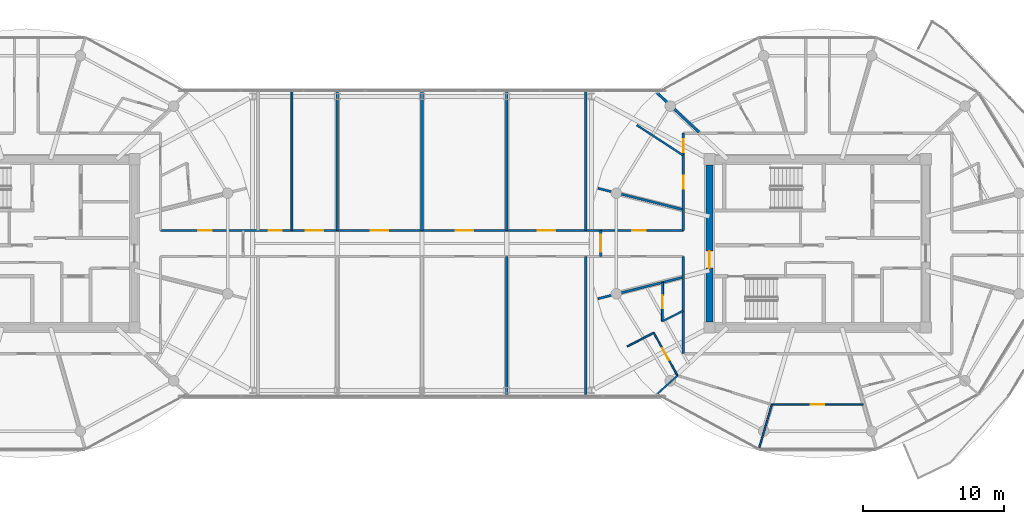
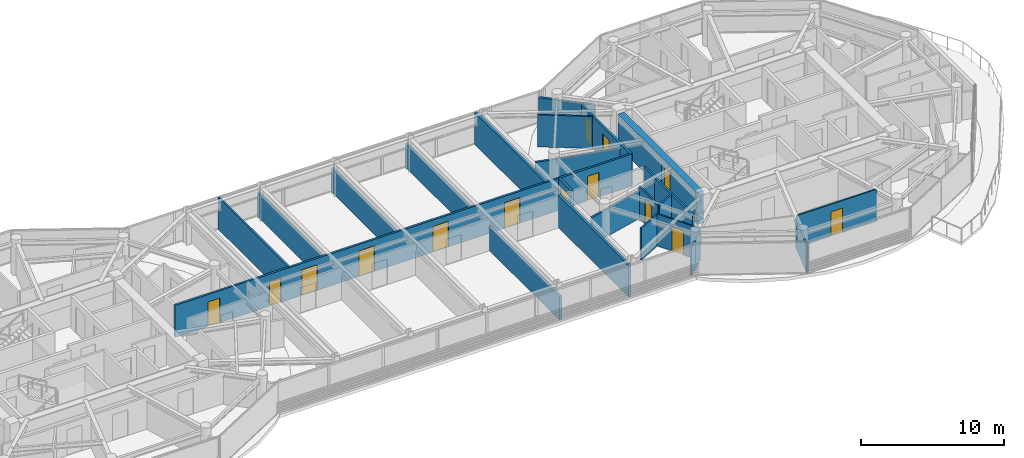
# One storey, part 17 of 24: 23 walls, 14 doors, 14 openings.
"""IFC4 building model written with IfcOpenShell, lengths in metres."""

from ifc_helpers import new_model, si_unit, direction, frame, frame_2d, origin, place, context, subcontext, project, spatial, rectangle, extrude, source, transform, mapped, material, layer, layer_set, type_object, type_shapes, element, fill, save


model = new_model("IFC4")

# Units and contexts
model_context = context("Model", 3, precision=1e-05, world=origin(), true_north=direction((0.0, 1.0)))
body_context = subcontext(model_context, "Body", "Model", "MODEL_VIEW")
ifc_project = project(units=[si_unit("LENGTHUNIT", "METRE"), si_unit("AREAUNIT", "SQUARE_METRE"), si_unit("VOLUMEUNIT", "CUBIC_METRE"), si_unit("PLANEANGLEUNIT", "RADIAN"), si_unit("MASSUNIT", "GRAM", prefix="KILO")], contexts=[model_context])

# Site, building, storey
site_placement = place(None, origin())
site = spatial("IfcSite", under=ifc_project, at=site_placement, CompositionType="ELEMENT")
building_placement = place(site_placement, origin())
building = spatial("IfcBuilding", under=site, at=building_placement, Name="Norrkilde Senior Care Towers", CompositionType="ELEMENT")
storey_placement = place(building_placement, frame((0.0, 0.0, 213.89990234375)))
storey = spatial("IfcBuildingStorey", under=building, at=storey_placement, Name="L66", CompositionType="ELEMENT", Elevation=213.89990234375)

# Wall, opening, door
ifc_material_1 = material(Name="Concrete C50/60", Category="concrete")
ifc_layer_1 = layer(ifc_material_1, 0.52001953125)
ifc_layer_set_1 = layer_set([ifc_layer_1], Name="Concrete C50/60")
wall_type_1 = type_object("IfcWallType", Name="Core Shear Wall Z4 520", PredefinedType="SHEAR", material=ifc_layer_set_1)
shared_shape_1 = source(origin(), body_context, "Body", "SweptSolid", [
    extrude(rectangle(XDim=11.10009765625, YDim=0.52001953125, at=frame_2d((5.550048828125, 0.0))), origin(), (0.0, 0.0, 1.0), 2.760009765625),
])
type_shapes(wall_type_1, [shared_shape_1])
wall_1_placement = place(storey_placement, frame((20.35009765625, -5.550048828125, 0.0), z_axis=(0.0, 0.0, 1.0), x_axis=(0.0, 1.0, 0.0)))
wall_1 = element("IfcWall", 1, at=wall_1_placement, inside=storey, type_object=wall_type_1, Name="L66 Core E West Shear Wall", PredefinedType="SHEAR", context=body_context, shape_type="MappedRepresentation", body=[
    mapped(shared_shape_1, transform((0.0, 0.0, 0.0), x_axis=(1.0, 0.0, 0.0), y_axis=(0.0, 1.0, 0.0), z_axis=(0.0, 0.0, 1.0), scale=1.0)),
])
opening_1_placement = place(wall_1_placement, frame((3.800048828125, 0.0, 0.0)))
opening_1 = element("IfcOpeningElement", 2, at=opening_1_placement, cuts=wall_1, Name="Opening D-04", PredefinedType="OPENING", context=body_context, shape_type="SweptSolid", body=[
    extrude(rectangle(XDim=1.199951171875, YDim=2.14990234375, at=frame_2d((0.60009765625, 1.074951171875))), frame((0.0, 0.27001953125, 0.0), z_axis=(0.0, -1.0, 0.0), x_axis=(1.0, 0.0, 0.0)), (0.0, 0.0, 1.0), 0.5400390625),
])
ifc_material_2 = material(Name="Galvanised Painted Steel", Category="steel")
door_type_1 = type_object("IfcDoorType", Name="Firefighting Lobby Fire Door 1200x2150", OperationType="NOTDEFINED", PredefinedType="DOOR", material=ifc_material_2)
shared_shape_2 = source(origin(), body_context, "Body", "SweptSolid", [
    extrude(rectangle(XDim=1.199951171875, YDim=2.14990234375, at=frame_2d((0.60009765625, 1.074951171875))), frame((0.0, 0.02490234375, 0.0), z_axis=(0.0, -1.0, 0.0), x_axis=(1.0, 0.0, 0.0)), (0.0, 0.0, 1.0), 0.050048828125),
])
type_shapes(door_type_1, [shared_shape_2])
door_1_placement = place(opening_1_placement, frame((1.199951171875, 0.0, 0.0), z_axis=(0.0, 0.0, 1.0), x_axis=(-1.0, 0.0, 0.0)))
door_1 = element("IfcDoor", 3, at=door_1_placement, inside=storey, type_object=door_type_1, Name="L66 Core E West Portal Door", OperationType="SINGLE_SWING_LEFT", OverallHeight=2.14990234375, OverallWidth=1.199951171875, PredefinedType="DOOR", context=body_context, shape_type="MappedRepresentation", body=[
    mapped(shared_shape_2, transform((0.0, 0.0, 0.0), x_axis=(1.0, 0.0, 0.0), y_axis=(0.0, 1.0, 0.0), z_axis=(0.0, 0.0, 1.0), scale=1.0)),
])
fill(opening_1, door_1)

# Wall
ifc_material_3 = material(Name="Gypsum Acoustic Board")
ifc_layer_2 = layer(ifc_material_3, 0.1650390625)
ifc_layer_set_2 = layer_set([ifc_layer_2], Name="Gypsum Acoustic Board")
wall_type_2 = type_object("IfcWallType", Name="Corridor Rated Partition 165", PredefinedType="PARTITIONING", material=ifc_layer_set_2)
shared_shape_3 = source(origin(), body_context, "Body", "SweptSolid", [
    extrude(rectangle(XDim=6.880126953125, YDim=0.1650390625, at=frame_2d((3.43994140625, 0.0))), origin(), (0.0, 0.0, 1.0), 2.7451171875),
])
wall_2_placement = place(storey_placement, frame((18.5, -7.800048828125, 0.0), z_axis=(0.0, 0.0, 1.0), x_axis=(0.0, 1.0, 0.0)))
element("IfcWall", 4, at=wall_2_placement, inside=storey, type_object=wall_type_2, Name="WL-INT-L66-E-CRW-W-0", PredefinedType="PARTITIONING", context=body_context, shape_type="MappedRepresentation", body=[
    mapped(shared_shape_3, transform((0.0, 0.0, 0.0), x_axis=(1.0, 0.0, 0.0), y_axis=(0.0, 1.0, 0.0), z_axis=(0.0, 0.0, 1.0), scale=1.0)),
])

# Wall, openings, doors
wall_3_placement = place(storey_placement, frame((18.5, 0.919921875, 0.0), z_axis=(0.0, 0.0, 1.0), x_axis=(0.0, 1.0, 0.0)))
wall_3 = element("IfcWall", 5, at=wall_3_placement, inside=storey, type_object=wall_type_2, Name="WL-INT-L66-E-CRW-W-1", PredefinedType="PARTITIONING", context=body_context, shape_type="MappedRepresentation", body=[
    mapped(shared_shape_3, transform((0.0, 0.0, 0.0), x_axis=(1.0, 0.0, 0.0), y_axis=(0.0, 1.0, 0.0), z_axis=(0.0, 0.0, 1.0), scale=1.0)),
])
opening_2_placement = place(wall_3_placement, frame((5.525146484375, 0.0, 0.0)))
opening_2 = element("IfcOpeningElement", 6, at=opening_2_placement, cuts=wall_3, Name="Opening D-08", PredefinedType="OPENING", context=body_context, shape_type="SweptSolid", body=[
    extrude(rectangle(XDim=0.919921875, YDim=2.10009765625, at=frame_2d((0.4599609375, 1.050048828125))), frame((0.0, 0.092529296875, 0.0), z_axis=(0.0, -1.0, 0.0), x_axis=(1.0, 0.0, 0.0)), (0.0, 0.0, 1.0), 0.18505859375),
])
opening_3_placement = place(wall_3_placement, frame((2.96240234375, 0.0, 0.0)))
opening_3 = element("IfcOpeningElement", 7, at=opening_3_placement, cuts=wall_3, Name="Opening D-08", PredefinedType="OPENING", context=body_context, shape_type="SweptSolid", body=[
    extrude(rectangle(XDim=0.919921875, YDim=2.10009765625, at=frame_2d((0.4599609375, 1.050048828125))), frame((0.0, 0.092529296875, 0.0), z_axis=(0.0, -1.0, 0.0), x_axis=(1.0, 0.0, 0.0)), (0.0, 0.0, 1.0), 0.18505859375),
])
ifc_material_4 = material(Name="Nordic Ash Timber", Category="wood")
door_type_2 = type_object("IfcDoorType", Name="Accessible Wet Room Door 920x2100", OperationType="NOTDEFINED", PredefinedType="DOOR", material=ifc_material_4)
shared_shape_4 = source(origin(), body_context, "Body", "SweptSolid", [
    extrude(rectangle(XDim=0.919921875, YDim=2.10009765625, at=frame_2d((0.4599609375, 1.050048828125))), frame((0.0, 0.02490234375, 0.0), z_axis=(0.0, -1.0, 0.0), x_axis=(1.0, 0.0, 0.0)), (0.0, 0.0, 1.0), 0.050048828125),
])
type_shapes(door_type_2, [shared_shape_4])
door_2_placement = place(opening_2_placement, frame((0.919921875, 0.0, 0.0), z_axis=(0.0, 0.0, 1.0), x_axis=(-1.0, 0.0, 0.0)))
door_2 = element("IfcDoor", 8, at=door_2_placement, inside=storey, type_object=door_type_2, Name="L66 Accessible Restroom Door", OperationType="SINGLE_SWING_LEFT", OverallHeight=2.10009765625, OverallWidth=0.919921875, PredefinedType="DOOR", context=body_context, shape_type="MappedRepresentation", body=[
    mapped(shared_shape_4, transform((0.0, 0.0, 0.0), x_axis=(1.0, 0.0, 0.0), y_axis=(0.0, 1.0, 0.0), z_axis=(0.0, 0.0, 1.0), scale=1.0)),
])
fill(opening_2, door_2)
door_3_placement = place(opening_3_placement, frame((0.919921875, 0.0, 0.0), z_axis=(0.0, 0.0, 1.0), x_axis=(-1.0, 0.0, 0.0)))
door_3 = element("IfcDoor", 9, at=door_3_placement, inside=storey, type_object=door_type_2, Name="L66 Public Restroom Door", OperationType="SINGLE_SWING_RIGHT", OverallHeight=2.10009765625, OverallWidth=0.919921875, PredefinedType="DOOR", context=body_context, shape_type="MappedRepresentation", body=[
    mapped(shared_shape_4, transform((0.0, 0.0, 0.0), x_axis=(1.0, 0.0, 0.0), y_axis=(0.0, 1.0, 0.0), z_axis=(0.0, 0.0, 1.0), scale=1.0)),
])
fill(opening_3, door_3)

# Walls
ifc_layer_3 = layer(ifc_material_3, 0.139892578125)
ifc_layer_set_3 = layer_set([ifc_layer_3], Name="Gypsum Acoustic Board")
wall_type_3 = type_object("IfcWallType", Name="En-suite Wet Room Wall 140", PredefinedType="PARTITIONING", material=ifc_layer_set_3)
shared_shape_5 = source(origin(), body_context, "Body", "SweptSolid", [
    extrude(rectangle(XDim=3.903564453125, YDim=0.139892578125, at=frame_2d((1.95166015625, 0.0))), origin(), (0.0, 0.0, 1.0), 2.7451171875),
])
wall_4_placement = place(storey_placement, frame((18.469970703125, 6.245849609375, 0.0), z_axis=(0.0, 0.0, 1.0), x_axis=(-0.838024687996, 0.545632314209, 0.0)))
element("IfcWall", 10, at=wall_4_placement, inside=storey, type_object=wall_type_3, Name="WL-INT-L66-E-MID-04", PredefinedType="PARTITIONING", context=body_context, shape_type="MappedRepresentation", body=[
    mapped(shared_shape_5, transform((0.0, 0.0, 0.0), x_axis=(1.0, 0.0, 0.0), y_axis=(0.0, 1.0, 0.0), z_axis=(0.0, 0.0, 1.0), scale=1.0)),
])
shared_shape_6 = source(origin(), body_context, "Body", "SweptSolid", [
    extrude(rectangle(XDim=1.638427734375, YDim=0.139892578125, at=frame_2d((0.8193359375, 0.0))), origin(), (0.0, 0.0, 1.0), 2.7451171875),
])
wall_5_placement = place(storey_placement, frame((18.469970703125, -4.7783203125, 0.0), z_axis=(0.0, 0.0, 1.0), x_axis=(-0.893919977945, -0.448226586707, 0.0)))
element("IfcWall", 11, at=wall_5_placement, inside=storey, type_object=wall_type_3, Name="WL-INT-L66-E-UBTS-06", PredefinedType="PARTITIONING", context=body_context, shape_type="MappedRepresentation", body=[
    mapped(shared_shape_6, transform((0.0, 0.0, 0.0), x_axis=(1.0, 0.0, 0.0), y_axis=(0.0, 1.0, 0.0), z_axis=(0.0, 0.0, 1.0), scale=1.0)),
])

# Wall, opening, door
shared_shape_7 = source(origin(), body_context, "Body", "SweptSolid", [
    extrude(rectangle(XDim=2.7587890625, YDim=0.139892578125, at=frame_2d((1.37939453125, 0.0))), origin(), (0.0, 0.0, 1.0), 2.7451171875),
])
wall_6_placement = place(storey_placement, frame((17.00537109375, -5.5126953125, 0.0), z_axis=(0.0, 0.0, 1.0), x_axis=(0.01194710728, 0.999928630767, 0.0)))
wall_6 = element("IfcWall", 12, at=wall_6_placement, inside=storey, type_object=wall_type_3, Name="WL-INT-L66-E-UBTF-06", PredefinedType="PARTITIONING", context=body_context, shape_type="MappedRepresentation", body=[
    mapped(shared_shape_7, transform((0.0, 0.0, 0.0), x_axis=(1.0, 0.0, 0.0), y_axis=(0.0, 1.0, 0.0), z_axis=(0.0, 0.0, 1.0), scale=1.0)),
])
opening_4_placement = place(wall_6_placement, frame((0.91943359375, 0.0, 0.0)))
opening_4 = element("IfcOpeningElement", 13, at=opening_4_placement, cuts=wall_6, Name="Opening D-08", PredefinedType="OPENING", context=body_context, shape_type="SweptSolid", body=[
    extrude(rectangle(XDim=0.919921875, YDim=2.10009765625, at=frame_2d((0.4599609375, 1.050048828125))), frame((0.0, 0.079833984375, 0.0), z_axis=(0.0, -1.0, 0.0), x_axis=(1.0, 0.0, 0.0)), (0.0, 0.0, 1.0), 0.159912109375),
])
door_4_placement = place(opening_4_placement, origin())
door_4 = element("IfcDoor", 14, at=door_4_placement, inside=storey, type_object=door_type_2, Name="Apartment 66E Bathroom Door", OperationType="SINGLE_SWING_RIGHT", OverallHeight=2.10009765625, OverallWidth=0.919921875, PredefinedType="DOOR", context=body_context, shape_type="MappedRepresentation", body=[
    mapped(shared_shape_4, transform((0.0, 0.0, 0.0), x_axis=(1.0, 0.0, 0.0), y_axis=(0.0, 1.0, 0.0), z_axis=(0.0, 0.0, 1.0), scale=1.0)),
])
fill(opening_4, door_4)

# Walls
shared_shape_8 = source(origin(), body_context, "Body", "SweptSolid", [
    extrude(rectangle(XDim=6.1572265625, YDim=0.1650390625, at=frame_2d((3.07861328125, 0.0))), origin(), (0.0, 0.0, 1.0), 2.34521484375),
])
for number, where, z_axis, x_axis, name in (
    (15, (18.419921875, 2.407470703125, 0.0), (0.0, 0.0, 1.0), (-0.969840867184, 0.243738984038, 0.0), "WL-INT-L66-E-DEM-05-0"),
    (16, (18.419921875, -2.407470703125, 0.0), (0.0, 0.0, 1.0), (-0.969840867184, -0.243738984038, 0.0), "WL-INT-L66-E-DEM-06-0"),
):
    element("IfcWall", number, at=place(storey_placement, frame(where, z_axis=z_axis, x_axis=x_axis)), inside=storey, type_object=wall_type_2, Name=name, PredefinedType="PARTITIONING", context=body_context, shape_type="MappedRepresentation", body=[
        mapped(shared_shape_8, transform((0.0, 0.0, 0.0), x_axis=(1.0, 0.0, 0.0), y_axis=(0.0, 1.0, 0.0), z_axis=(0.0, 0.0, 1.0), scale=1.0)),
    ])
ifc_layer_4 = layer(ifc_material_3, 0.18994140625)
ifc_layer_set_4 = layer_set([ifc_layer_4], Name="Gypsum Acoustic Board")
wall_type_4 = type_object("IfcWallType", Name="Unit Demising Acoustic Wall 190", PredefinedType="PARTITIONING", material=ifc_layer_set_4)
shared_shape_9 = source(origin(), body_context, "Body", "SweptSolid", [
    extrude(rectangle(XDim=4.089111328125, YDim=0.18994140625, at=frame_2d((2.04443359375, 0.0))), origin(), (0.0, 0.0, 1.0), 2.34521484375),
])
wall_7_placement = place(storey_placement, frame((19.59814453125, 7.8798828125, 0.0), z_axis=(0.0, 0.0, 1.0), x_axis=(-0.729401273609, 0.684086092577, 0.0)))
element("IfcWall", 17, at=wall_7_placement, inside=storey, type_object=wall_type_4, Name="WL-INT-L66-E-DEM-04-0", PredefinedType="PARTITIONING", context=body_context, shape_type="MappedRepresentation", body=[
    mapped(shared_shape_9, transform((0.0, 0.0, 0.0), x_axis=(1.0, 0.0, 0.0), y_axis=(0.0, 1.0, 0.0), z_axis=(0.0, 0.0, 1.0), scale=1.0)),
])
ifc_layer_5 = layer(ifc_material_3, 0.114990234375)
ifc_layer_set_5 = layer_set([ifc_layer_5], Name="Gypsum Acoustic Board")
wall_type_5 = type_object("IfcWallType", Name="Internal Room Partition 115", PredefinedType="PARTITIONING", material=ifc_layer_set_5)
shared_shape_10 = source(origin(), body_context, "Body", "SweptSolid", [
    extrude(rectangle(XDim=1.98828125, YDim=0.114990234375, at=frame_2d((0.994140625, 0.0))), origin(), (0.0, 0.0, 1.0), 2.34521484375),
])
wall_8_placement = place(storey_placement, frame((18.0908203125, -9.34423828125, 0.0), z_axis=(0.0, 0.0, 1.0), x_axis=(-0.741992301729, -0.670408401033, 0.0)))
element("IfcWall", 18, at=wall_8_placement, inside=storey, type_object=wall_type_5, Name="WL-INT-L66-E-UBR-06-1", PredefinedType="PARTITIONING", context=body_context, shape_type="MappedRepresentation", body=[
    mapped(shared_shape_10, transform((0.0, 0.0, 0.0), x_axis=(1.0, 0.0, 0.0), y_axis=(0.0, 1.0, 0.0), z_axis=(0.0, 0.0, 1.0), scale=1.0)),
])

# Wall, opening, door
shared_shape_11 = source(origin(), body_context, "Body", "SweptSolid", [
    extrude(rectangle(XDim=6.48095703125, YDim=0.114990234375, at=frame_2d((3.240478515625, 0.0))), origin(), (0.0, 0.0, 1.0), 2.7451171875),
])
wall_9_placement = place(storey_placement, frame((24.759521484375, -11.404052734375, 0.0), z_axis=(0.0, 0.0, 1.0), x_axis=(1.0, 0.0, 0.0)))
wall_9 = element("IfcWall", 19, at=wall_9_placement, inside=storey, type_object=wall_type_5, Name="WL-INT-L66-E-UBC-06-2", PredefinedType="PARTITIONING", context=body_context, shape_type="MappedRepresentation", body=[
    mapped(shared_shape_11, transform((0.0, 0.0, 0.0), x_axis=(1.0, 0.0, 0.0), y_axis=(0.0, 1.0, 0.0), z_axis=(0.0, 0.0, 1.0), scale=1.0)),
])
opening_5_placement = place(wall_9_placement, frame((2.765380859375, 0.0, 0.0)))
opening_5 = element("IfcOpeningElement", 20, at=opening_5_placement, cuts=wall_9, Name="Opening D-07", PredefinedType="OPENING", context=body_context, shape_type="SweptSolid", body=[
    extrude(rectangle(XDim=0.949951171875, YDim=2.10009765625, at=frame_2d((0.47509765625, 1.050048828125))), frame((0.0, 0.0673828125, 0.0), z_axis=(0.0, -1.0, 0.0), x_axis=(1.0, 0.0, 0.0)), (0.0, 0.0, 1.0), 0.135009765625),
])
door_type_3 = type_object("IfcDoorType", Name="Internal Suite Bedroom Door 950x2100", OperationType="NOTDEFINED", PredefinedType="DOOR", material=ifc_material_4)
shared_shape_12 = source(origin(), body_context, "Body", "SweptSolid", [
    extrude(rectangle(XDim=0.949951171875, YDim=2.10009765625, at=frame_2d((0.47509765625, 1.050048828125))), frame((0.0, 0.02490234375, 0.0), z_axis=(0.0, -1.0, 0.0), x_axis=(1.0, 0.0, 0.0)), (0.0, 0.0, 1.0), 0.050048828125),
])
type_shapes(door_type_3, [shared_shape_12])
door_5_placement = place(opening_5_placement, frame((0.949951171875, 0.0, 0.0), z_axis=(0.0, 0.0, 1.0), x_axis=(-1.0, 0.0, 0.0)))
door_5 = element("IfcDoor", 21, at=door_5_placement, inside=storey, type_object=door_type_3, Name="Apartment 66E Bedroom 2 Door", OperationType="SINGLE_SWING_LEFT", OverallHeight=2.10009765625, OverallWidth=0.949951171875, PredefinedType="DOOR", context=body_context, shape_type="MappedRepresentation", body=[
    mapped(shared_shape_12, transform((0.0, 0.0, 0.0), x_axis=(1.0, 0.0, 0.0), y_axis=(0.0, 1.0, 0.0), z_axis=(0.0, 0.0, 1.0), scale=1.0)),
])
fill(opening_5, door_5)

# Walls
shared_shape_13 = source(origin(), body_context, "Body", "SweptSolid", [
    extrude(rectangle(XDim=3.3134765625, YDim=0.114990234375, at=frame_2d((1.65673828125, 0.0))), origin(), (0.0, 0.0, 1.0), 2.34521484375),
])
wall_10_placement = place(storey_placement, frame((24.759521484375, -11.404052734375, 0.0), z_axis=(0.0, 0.0, 1.0), x_axis=(-0.279612365916, -0.960112975033, 0.0)))
element("IfcWall", 22, at=wall_10_placement, inside=storey, type_object=wall_type_5, Name="WL-INT-L66-E-UBR-06-2", PredefinedType="PARTITIONING", context=body_context, shape_type="MappedRepresentation", body=[
    mapped(shared_shape_13, transform((0.0, 0.0, 0.0), x_axis=(1.0, 0.0, 0.0), y_axis=(0.0, 1.0, 0.0), z_axis=(0.0, 0.0, 1.0), scale=1.0)),
])
shared_shape_14 = source(origin(), body_context, "Body", "SweptSolid", [
    extrude(rectangle(XDim=2.10400390625, YDim=0.114990234375, at=frame_2d((1.052001953125, 0.0))), origin(), (0.0, 0.0, 1.0), 2.7451171875),
])
wall_11_placement = place(storey_placement, frame((16.396240234375, -6.3173828125, 0.0), z_axis=(0.0, 0.0, 1.0), x_axis=(-0.886060817493, -0.463569010724, 0.0)))
element("IfcWall", 23, at=wall_11_placement, inside=storey, type_object=wall_type_5, Name="WL-INT-L66-E-UKTS-06", PredefinedType="PARTITIONING", context=body_context, shape_type="MappedRepresentation", body=[
    mapped(shared_shape_14, transform((0.0, 0.0, 0.0), x_axis=(1.0, 0.0, 0.0), y_axis=(0.0, 1.0, 0.0), z_axis=(0.0, 0.0, 1.0), scale=1.0)),
])

# Wall, opening, door
shared_shape_15 = source(origin(), body_context, "Body", "SweptSolid", [
    extrude(rectangle(XDim=3.4716796875, YDim=0.114990234375, at=frame_2d((1.73583984375, 0.0))), origin(), (0.0, 0.0, 1.0), 2.7451171875),
])
type_shapes(wall_type_5, [shared_shape_10, shared_shape_11, shared_shape_13, shared_shape_14, shared_shape_15])
wall_12_placement = place(storey_placement, frame((16.396240234375, -6.3173828125, 0.0), z_axis=(0.0, 0.0, 1.0), x_axis=(0.485804139346, -0.874067696574, 0.0)))
wall_12 = element("IfcWall", 24, at=wall_12_placement, inside=storey, type_object=wall_type_5, Name="WL-INT-L66-E-UKTF-06", PredefinedType="PARTITIONING", context=body_context, shape_type="MappedRepresentation", body=[
    mapped(shared_shape_15, transform((0.0, 0.0, 0.0), x_axis=(1.0, 0.0, 0.0), y_axis=(0.0, 1.0, 0.0), z_axis=(0.0, 0.0, 1.0), scale=1.0)),
])
opening_6_placement = place(wall_12_placement, frame((1.2607421875, 0.0, 0.0)))
opening_6 = element("IfcOpeningElement", 25, at=opening_6_placement, cuts=wall_12, Name="Opening D-07", PredefinedType="OPENING", context=body_context, shape_type="SweptSolid", body=[
    extrude(rectangle(XDim=0.949951171875, YDim=2.10009765625, at=frame_2d((0.47509765625, 1.050048828125))), frame((0.0, 0.0673828125, 0.0), z_axis=(0.0, -1.0, 0.0), x_axis=(1.0, 0.0, 0.0)), (0.0, 0.0, 1.0), 0.135009765625),
])
door_6_placement = place(opening_6_placement, frame((0.949951171875, 0.0, 0.0), z_axis=(0.0, 0.0, 1.0), x_axis=(-1.0, 0.0, 0.0)))
door_6 = element("IfcDoor", 26, at=door_6_placement, inside=storey, type_object=door_type_3, Name="Apartment 66E Kitchen Door", OperationType="SINGLE_SWING_LEFT", OverallHeight=2.10009765625, OverallWidth=0.949951171875, PredefinedType="DOOR", context=body_context, shape_type="MappedRepresentation", body=[
    mapped(shared_shape_12, transform((0.0, 0.0, 0.0), x_axis=(1.0, 0.0, 0.0), y_axis=(0.0, 1.0, 0.0), z_axis=(0.0, 0.0, 1.0), scale=1.0)),
])
fill(opening_6, door_6)

shared_shape_16 = source(origin(), body_context, "Body", "SweptSolid", [
    extrude(rectangle(XDim=1.83984375, YDim=0.1650390625, at=frame_2d((0.919921875, 0.0))), origin(), (0.0, 0.0, 1.0), 2.7451171875),
])
wall_13_placement = place(storey_placement, frame((12.64990234375, -0.919921875, 0.0), z_axis=(0.0, 0.0, 1.0), x_axis=(0.0, 1.0, 0.0)))
wall_13 = element("IfcWall", 27, at=wall_13_placement, inside=storey, type_object=wall_type_2, Name="WL-INT-L66-BR-GE", PredefinedType="PARTITIONING", context=body_context, shape_type="MappedRepresentation", body=[
    mapped(shared_shape_16, transform((0.0, 0.0, 0.0), x_axis=(1.0, 0.0, 0.0), y_axis=(0.0, 1.0, 0.0), z_axis=(0.0, 0.0, 1.0), scale=1.0)),
])
opening_7_placement = place(wall_13_placement, frame((0.320068359375, 0.0, 0.0)))
opening_7 = element("IfcOpeningElement", 28, at=opening_7_placement, cuts=wall_13, Name="Opening D-04", PredefinedType="OPENING", context=body_context, shape_type="SweptSolid", body=[
    extrude(rectangle(XDim=1.199951171875, YDim=2.14990234375, at=frame_2d((0.60009765625, 1.074951171875))), frame((0.0, 0.092529296875, 0.0), z_axis=(0.0, -1.0, 0.0), x_axis=(1.0, 0.0, 0.0)), (0.0, 0.0, 1.0), 0.18505859375),
])
door_7_placement = place(opening_7_placement, origin())
door_7 = element("IfcDoor", 29, at=door_7_placement, inside=storey, type_object=door_type_1, Name="L66 Sky-Gate Bridge GE Fire Door", OperationType="SINGLE_SWING_RIGHT", OverallHeight=2.14990234375, OverallWidth=1.199951171875, PredefinedType="DOOR", context=body_context, shape_type="MappedRepresentation", body=[
    mapped(shared_shape_2, transform((0.0, 0.0, 0.0), x_axis=(1.0, 0.0, 0.0), y_axis=(0.0, 1.0, 0.0), z_axis=(0.0, 0.0, 1.0), scale=1.0)),
])
fill(opening_7, door_7)

# Wall, openings, doors
shared_shape_17 = source(origin(), body_context, "Body", "SweptSolid", [
    extrude(rectangle(XDim=37.0, YDim=0.1650390625, at=frame_2d((18.5, 0.0))), origin(), (0.0, 0.0, 1.0), 2.7451171875),
])
type_shapes(wall_type_2, [shared_shape_3, shared_shape_8, shared_shape_16, shared_shape_17])
wall_14_placement = place(storey_placement, frame((-18.5, 0.919921875, 0.0), z_axis=(0.0, 0.0, 1.0), x_axis=(1.0, 0.0, 0.0)))
wall_14 = element("IfcWall", 30, at=wall_14_placement, inside=storey, type_object=wall_type_2, Name="WL-INT-L66-BR-CN", PredefinedType="PARTITIONING", context=body_context, shape_type="MappedRepresentation", body=[
    mapped(shared_shape_17, transform((0.0, 0.0, 0.0), x_axis=(1.0, 0.0, 0.0), y_axis=(0.0, 1.0, 0.0), z_axis=(0.0, 0.0, 1.0), scale=1.0)),
])
opening_8_placement = place(wall_14_placement, frame((2.66162109375, 0.0, 0.0)))
opening_8 = element("IfcOpeningElement", 31, at=opening_8_placement, cuts=wall_14, Name="Opening D-07", PredefinedType="OPENING", context=body_context, shape_type="SweptSolid", body=[
    extrude(rectangle(XDim=0.949951171875, YDim=2.10009765625, at=frame_2d((0.47509765625, 1.050048828125))), frame((0.0, 0.092529296875, 0.0), z_axis=(0.0, -1.0, 0.0), x_axis=(1.0, 0.0, 0.0)), (0.0, 0.0, 1.0), 0.18505859375),
])
opening_9_placement = place(wall_14_placement, frame((33.38818359375, 0.0, 0.0)))
opening_9 = element("IfcOpeningElement", 32, at=opening_9_placement, cuts=wall_14, Name="Opening D-07", PredefinedType="OPENING", context=body_context, shape_type="SweptSolid", body=[
    extrude(rectangle(XDim=0.949951171875, YDim=2.10009765625, at=frame_2d((0.47509765625, 1.050048828125))), frame((0.0, 0.092529296875, 0.0), z_axis=(0.0, -1.0, 0.0), x_axis=(1.0, 0.0, 0.0)), (0.0, 0.0, 1.0), 0.18505859375),
])
opening_10_placement = place(wall_14_placement, frame((7.639892578125, 0.0, 0.0)))
opening_10 = element("IfcOpeningElement", 33, at=opening_10_placement, cuts=wall_14, Name="Opening D-08", PredefinedType="OPENING", context=body_context, shape_type="SweptSolid", body=[
    extrude(rectangle(XDim=0.919921875, YDim=2.10009765625, at=frame_2d((0.4599609375, 1.050048828125))), frame((0.0, 0.092529296875, 0.0), z_axis=(0.0, -1.0, 0.0), x_axis=(1.0, 0.0, 0.0)), (0.0, 0.0, 1.0), 0.18505859375),
])
opening_11_placement = place(wall_14_placement, frame((10.27490234375, 0.0, 0.0)))
opening_11 = element("IfcOpeningElement", 34, at=opening_11_placement, cuts=wall_14, Name="Opening D-05", PredefinedType="OPENING", context=body_context, shape_type="SweptSolid", body=[
    extrude(rectangle(XDim=1.25, YDim=2.199951171875, at=frame_2d((0.625, 1.10009765625))), frame((0.0, 0.092529296875, 0.0), z_axis=(0.0, -1.0, 0.0), x_axis=(1.0, 0.0, 0.0)), (0.0, 0.0, 1.0), 0.18505859375),
])
opening_12_placement = place(wall_14_placement, frame((14.875, 0.0, 0.0)))
opening_12 = element("IfcOpeningElement", 35, at=opening_12_placement, cuts=wall_14, Name="Opening D-05", PredefinedType="OPENING", context=body_context, shape_type="SweptSolid", body=[
    extrude(rectangle(XDim=1.25, YDim=2.199951171875, at=frame_2d((0.625, 1.10009765625))), frame((0.0, 0.092529296875, 0.0), z_axis=(0.0, -1.0, 0.0), x_axis=(1.0, 0.0, 0.0)), (0.0, 0.0, 1.0), 0.18505859375),
])
opening_13_placement = place(wall_14_placement, frame((20.875, 0.0, 0.0)))
opening_13 = element("IfcOpeningElement", 36, at=opening_13_placement, cuts=wall_14, Name="Opening D-05", PredefinedType="OPENING", context=body_context, shape_type="SweptSolid", body=[
    extrude(rectangle(XDim=1.25, YDim=2.199951171875, at=frame_2d((0.625, 1.10009765625))), frame((0.0, 0.092529296875, 0.0), z_axis=(0.0, -1.0, 0.0), x_axis=(1.0, 0.0, 0.0)), (0.0, 0.0, 1.0), 0.18505859375),
])
opening_14_placement = place(wall_14_placement, frame((26.675048828125, 0.0, 0.0)))
opening_14 = element("IfcOpeningElement", 37, at=opening_14_placement, cuts=wall_14, Name="Opening D-05", PredefinedType="OPENING", context=body_context, shape_type="SweptSolid", body=[
    extrude(rectangle(XDim=1.25, YDim=2.199951171875, at=frame_2d((0.625, 1.10009765625))), frame((0.0, 0.092529296875, 0.0), z_axis=(0.0, -1.0, 0.0), x_axis=(1.0, 0.0, 0.0)), (0.0, 0.0, 1.0), 0.18505859375),
])
door_type_4 = type_object("IfcDoorType", Name="Care Bedroom Bariatric Door 1250x2200", OperationType="NOTDEFINED", PredefinedType="DOOR", material=ifc_material_4)
shared_shape_18 = source(origin(), body_context, "Body", "SweptSolid", [
    extrude(rectangle(XDim=1.25, YDim=2.199951171875, at=frame_2d((0.625, 1.10009765625))), frame((0.0, 0.02490234375, 0.0), z_axis=(0.0, -1.0, 0.0), x_axis=(1.0, 0.0, 0.0)), (0.0, 0.0, 1.0), 0.050048828125),
])
type_shapes(door_type_4, [shared_shape_18])
door_8_placement = place(opening_11_placement, frame((1.25, 0.0, 0.0), z_axis=(0.0, 0.0, 1.0), x_axis=(-1.0, 0.0, 0.0)))
door_8 = element("IfcDoor", 38, at=door_8_placement, inside=storey, type_object=door_type_4, Name="L66 Bridge North Clinic 1 Door", OperationType="SINGLE_SWING_RIGHT", OverallHeight=2.199951171875, OverallWidth=1.25, PredefinedType="DOOR", context=body_context, shape_type="MappedRepresentation", body=[
    mapped(shared_shape_18, transform((0.0, 0.0, 0.0), x_axis=(1.0, 0.0, 0.0), y_axis=(0.0, 1.0, 0.0), z_axis=(0.0, 0.0, 1.0), scale=1.0)),
])
fill(opening_11, door_8)
door_9_placement = place(opening_12_placement, frame((1.25, 0.0, 0.0), z_axis=(0.0, 0.0, 1.0), x_axis=(-1.0, 0.0, 0.0)))
door_9 = element("IfcDoor", 39, at=door_9_placement, inside=storey, type_object=door_type_4, Name="L66 Bridge North Room 2 Door", OperationType="SINGLE_SWING_LEFT", OverallHeight=2.199951171875, OverallWidth=1.25, PredefinedType="DOOR", context=body_context, shape_type="MappedRepresentation", body=[
    mapped(shared_shape_18, transform((0.0, 0.0, 0.0), x_axis=(1.0, 0.0, 0.0), y_axis=(0.0, 1.0, 0.0), z_axis=(0.0, 0.0, 1.0), scale=1.0)),
])
fill(opening_12, door_9)
door_10_placement = place(opening_13_placement, frame((1.25, 0.0, 0.0), z_axis=(0.0, 0.0, 1.0), x_axis=(-1.0, 0.0, 0.0)))
door_10 = element("IfcDoor", 40, at=door_10_placement, inside=storey, type_object=door_type_4, Name="L66 Bridge North Room 3 Door", OperationType="SINGLE_SWING_RIGHT", OverallHeight=2.199951171875, OverallWidth=1.25, PredefinedType="DOOR", context=body_context, shape_type="MappedRepresentation", body=[
    mapped(shared_shape_18, transform((0.0, 0.0, 0.0), x_axis=(1.0, 0.0, 0.0), y_axis=(0.0, 1.0, 0.0), z_axis=(0.0, 0.0, 1.0), scale=1.0)),
])
fill(opening_13, door_10)
door_11_placement = place(opening_14_placement, frame((1.25, 0.0, 0.0), z_axis=(0.0, 0.0, 1.0), x_axis=(-1.0, 0.0, 0.0)))
door_11 = element("IfcDoor", 41, at=door_11_placement, inside=storey, type_object=door_type_4, Name="L66 Bridge North Room 4 Door", OperationType="SINGLE_SWING_LEFT", OverallHeight=2.199951171875, OverallWidth=1.25, PredefinedType="DOOR", context=body_context, shape_type="MappedRepresentation", body=[
    mapped(shared_shape_18, transform((0.0, 0.0, 0.0), x_axis=(1.0, 0.0, 0.0), y_axis=(0.0, 1.0, 0.0), z_axis=(0.0, 0.0, 1.0), scale=1.0)),
])
fill(opening_14, door_11)
door_12_placement = place(opening_10_placement, frame((0.919921875, 0.0, 0.0), z_axis=(0.0, 0.0, 1.0), x_axis=(-1.0, 0.0, 0.0)))
door_12 = element("IfcDoor", 42, at=door_12_placement, inside=storey, type_object=door_type_2, Name="L66 Bridge Accessible WC Door", OperationType="SINGLE_SWING_LEFT", OverallHeight=2.10009765625, OverallWidth=0.919921875, PredefinedType="DOOR", context=body_context, shape_type="MappedRepresentation", body=[
    mapped(shared_shape_4, transform((0.0, 0.0, 0.0), x_axis=(1.0, 0.0, 0.0), y_axis=(0.0, 1.0, 0.0), z_axis=(0.0, 0.0, 1.0), scale=1.0)),
])
fill(opening_10, door_12)
door_13_placement = place(opening_8_placement, frame((0.949951171875, 0.0, 0.0), z_axis=(0.0, 0.0, 1.0), x_axis=(-1.0, 0.0, 0.0)))
door_13 = element("IfcDoor", 43, at=door_13_placement, inside=storey, type_object=door_type_3, Name="L66 Sun Reading Lounge 6 Door", OperationType="SINGLE_SWING_LEFT", OverallHeight=2.10009765625, OverallWidth=0.949951171875, PredefinedType="DOOR", context=body_context, shape_type="MappedRepresentation", body=[
    mapped(shared_shape_12, transform((0.0, 0.0, 0.0), x_axis=(1.0, 0.0, 0.0), y_axis=(0.0, 1.0, 0.0), z_axis=(0.0, 0.0, 1.0), scale=1.0)),
])
fill(opening_8, door_13)
door_14_placement = place(opening_9_placement, frame((0.949951171875, 0.0, 0.0), z_axis=(0.0, 0.0, 1.0), x_axis=(-1.0, 0.0, 0.0)))
door_14 = element("IfcDoor", 44, at=door_14_placement, inside=storey, type_object=door_type_3, Name="L66 Sun Reading Lounge 2 Door", OperationType="SINGLE_SWING_LEFT", OverallHeight=2.10009765625, OverallWidth=0.949951171875, PredefinedType="DOOR", context=body_context, shape_type="MappedRepresentation", body=[
    mapped(shared_shape_12, transform((0.0, 0.0, 0.0), x_axis=(1.0, 0.0, 0.0), y_axis=(0.0, 1.0, 0.0), z_axis=(0.0, 0.0, 1.0), scale=1.0)),
])
fill(opening_9, door_14)

# Walls
shared_shape_19 = source(origin(), body_context, "Body", "SweptSolid", [
    extrude(rectangle(XDim=9.880126953125, YDim=0.18994140625, at=frame_2d((4.93994140625, 0.0))), origin(), (0.0, 0.0, 1.0), 2.7451171875),
])
for number, where, z_axis, x_axis, name in (
    (45, (11.60009765625, -10.800048828125, 0.0), (0.0, 0.0, 1.0), (0.0, 1.0, 0.0), "WL-INT-L66-BR-ES+12"),
    (46, (11.60009765625, 0.919921875, 0.0), (0.0, 0.0, 1.0), (0.0, 1.0, 0.0), "WL-INT-L66-BR-EN+12"),
):
    element("IfcWall", number, at=place(storey_placement, frame(where, z_axis=z_axis, x_axis=x_axis)), inside=storey, type_object=wall_type_4, Name=name, PredefinedType="PARTITIONING", context=body_context, shape_type="MappedRepresentation", body=[
        mapped(shared_shape_19, transform((0.0, 0.0, 0.0), x_axis=(1.0, 0.0, 0.0), y_axis=(0.0, 1.0, 0.0), z_axis=(0.0, 0.0, 1.0), scale=1.0)),
    ])
shared_shape_20 = source(origin(), body_context, "Body", "SweptSolid", [
    extrude(rectangle(XDim=9.880126953125, YDim=0.18994140625, at=frame_2d((4.93994140625, 0.0))), origin(), (0.0, 0.0, 1.0), 2.045166015625),
])
type_shapes(wall_type_4, [shared_shape_9, shared_shape_19, shared_shape_20])
for number, where, z_axis, x_axis, name in (
    (47, (-6.0, 0.919921875, 0.0), (0.0, 0.0, 1.0), (0.0, 1.0, 0.0), "WL-INT-L66-BR-VN1"),
    (48, (0.0, 0.919921875, 0.0), (0.0, 0.0, 1.0), (0.0, 1.0, 0.0), "WL-INT-L66-BR-VN2"),
    (49, (6.0, -10.800048828125, 0.0), (0.0, 0.0, 1.0), (0.0, 1.0, 0.0), "WL-INT-L66-BR-VS3"),
    (50, (6.0, 0.919921875, 0.0), (0.0, 0.0, 1.0), (0.0, 1.0, 0.0), "WL-INT-L66-BR-VN3"),
):
    element("IfcWall", number, at=place(storey_placement, frame(where, z_axis=z_axis, x_axis=x_axis)), inside=storey, type_object=wall_type_4, Name=name, PredefinedType="PARTITIONING", context=body_context, shape_type="MappedRepresentation", body=[
        mapped(shared_shape_20, transform((0.0, 0.0, 0.0), x_axis=(1.0, 0.0, 0.0), y_axis=(0.0, 1.0, 0.0), z_axis=(0.0, 0.0, 1.0), scale=1.0)),
    ])
shared_shape_21 = source(origin(), body_context, "Body", "SweptSolid", [
    extrude(rectangle(XDim=9.880126953125, YDim=0.139892578125, at=frame_2d((4.93994140625, 0.0))), origin(), (0.0, 0.0, 1.0), 2.7451171875),
])
type_shapes(wall_type_3, [shared_shape_5, shared_shape_6, shared_shape_7, shared_shape_21])
wall_15_placement = place(storey_placement, frame((-9.199951171875, 0.919921875, 0.0), z_axis=(0.0, 0.0, 1.0), x_axis=(0.0, 1.0, 0.0)))
element("IfcWall", 51, at=wall_15_placement, inside=storey, type_object=wall_type_3, Name="WL-INT-L66-BR-NWCV", PredefinedType="PARTITIONING", context=body_context, shape_type="MappedRepresentation", body=[
    mapped(shared_shape_21, transform((0.0, 0.0, 0.0), x_axis=(1.0, 0.0, 0.0), y_axis=(0.0, 1.0, 0.0), z_axis=(0.0, 0.0, 1.0), scale=1.0)),
])

save(model, "model.ifc")
